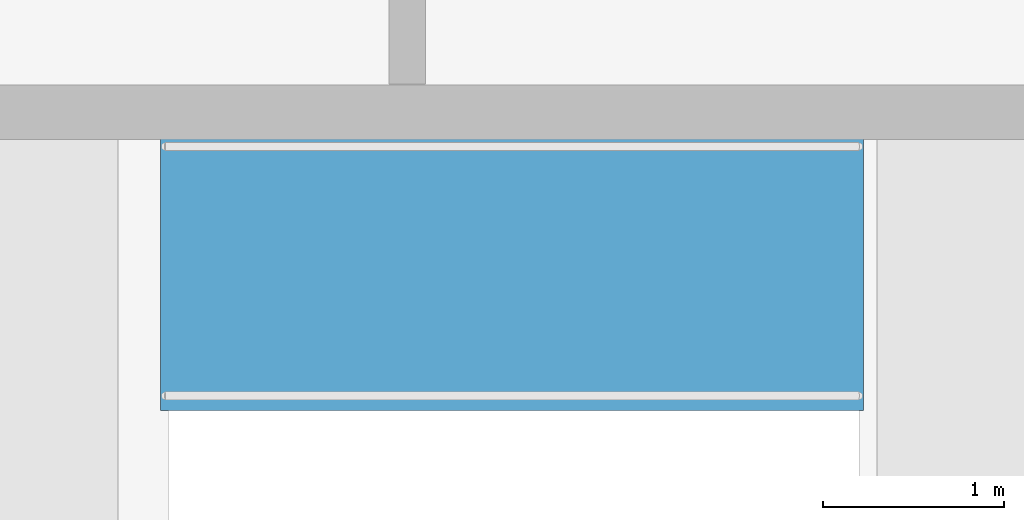
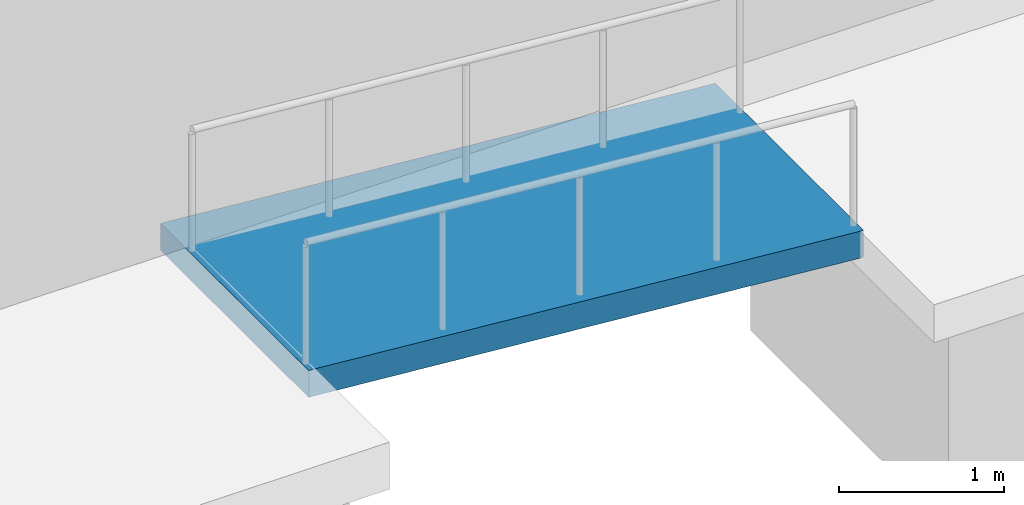
# One storey, part 29 of 34: 1 ramp flight, 1 element without a shape of its own.
"""IFC4 building model written with IfcOpenShell, lengths in metres."""

from ifc_helpers import new_model, si_unit, direction, frame, origin, place, context, subcontext, project, spatial, polyline, outline, extrude, material, layer, layer_set, type_object, element, aggregate, save


model = new_model("IFC4")

# Units and contexts
model_context = context("Model", 3, precision=1e-05, world=origin(), true_north=direction((0.0, 1.0)))
body_context = subcontext(model_context, "Body", "Model", "MODEL_VIEW")
ifc_project = project(units=[si_unit("LENGTHUNIT", "METRE"), si_unit("AREAUNIT", "SQUARE_METRE"), si_unit("VOLUMEUNIT", "CUBIC_METRE"), si_unit("PLANEANGLEUNIT", "RADIAN"), si_unit("MASSUNIT", "GRAM", prefix="KILO")], contexts=[model_context])

# Site, building, storey
site_placement = place(None, origin())
site = spatial("IfcSite", under=ifc_project, at=site_placement, CompositionType="ELEMENT")
building_placement = place(site_placement, origin())
building = spatial("IfcBuilding", under=site, at=building_placement, Name="Barlavira Tower and Art Museum", CompositionType="ELEMENT")
storey_placement = place(building_placement, origin())
storey = spatial("IfcBuildingStorey", under=building, at=storey_placement, Name="L00", CompositionType="ELEMENT", Elevation=0.0)

# Ramp, ramp flight
ifc_material = material(Name="Concrete C40", Category="concrete")
ramp_type = type_object("IfcRampType", Name="Accessible Pedestrian Threshold Ramp 1:12 Concrete C40", PredefinedType="STRAIGHT_RUN_RAMP", material=ifc_material)
ramp_placement = place(storey_placement, origin())
ramp = element("IfcRamp", 1, at=ramp_placement, inside=storey, type_object=ramp_type, Name="Museum Esplanade Step-Free Entry Ramp", PredefinedType="STRAIGHT_RUN_RAMP")
ifc_layer = layer(ifc_material, 0.199951171875, Name="Concrete C40")
ifc_layer_set = layer_set([ifc_layer], Name="Concrete C40")
ramp_flight_type = type_object("IfcRampFlightType", Name="Accessible Pedestrian Ramp Flight 200 Concrete C40", PredefinedType="STRAIGHT", material=ifc_layer_set)
ramp_flight_placement = place(storey_placement, frame((14.5, -28.39990234375, -0.320068359375), z_axis=(0.0, 0.0, 1.0), x_axis=(-1.0, 0.0, 0.0)))
ramp_flight = element("IfcRampFlight", 2, at=ramp_flight_placement, type_object=ramp_flight_type, Name="Museum Esplanade Step-Free Entry Ramp Flight", PredefinedType="STRAIGHT", context=body_context, shape_type="SweptSolid", body=[
    extrude(outline(polyline([(-0.02490234375, 0.0), (0.0, 0.0), (3.840087890625, 0.320068359375), (3.864990234375, 0.320068359375), (3.864990234375, 0.1201171875), (3.840087890625, 0.1201171875), (0.0, -0.199951171875), (-0.02490234375, -0.199951171875), (-0.02490234375, 0.0)])), frame((0.0, 0.89990234375, 0.0), z_axis=(0.0, -1.0, 0.0), x_axis=(1.0, 0.0, 0.0)), (0.0, 0.0, 1.0), 1.800048828125),
])
aggregate(ramp, [ramp_flight])

save(model, "model.ifc")
